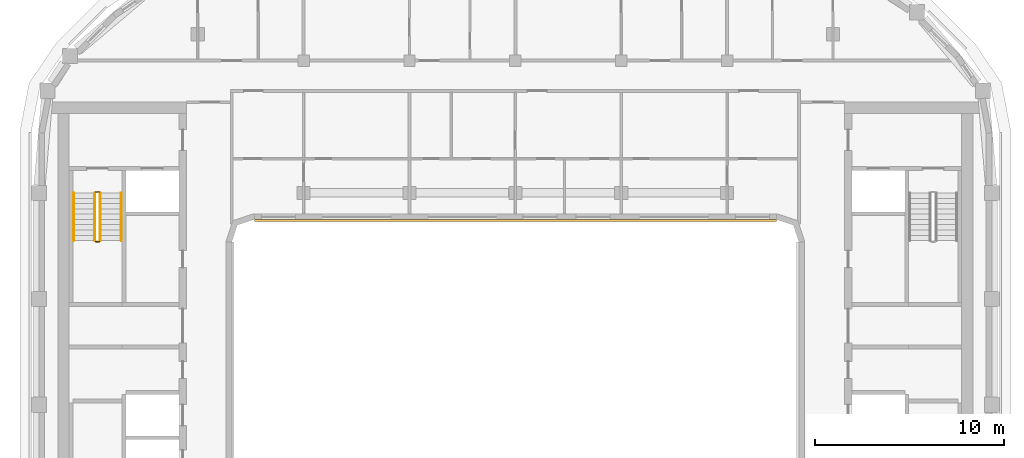
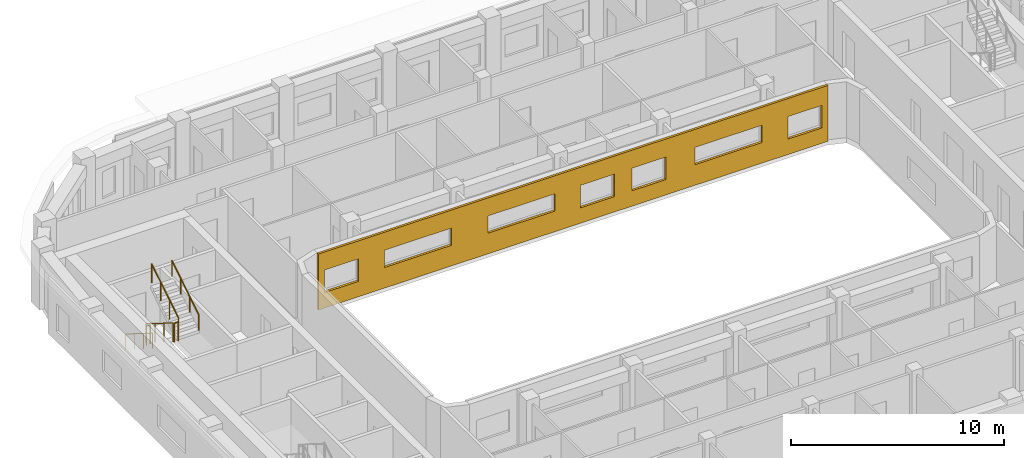
# One storey, part 12 of 16: 6 railings, 1 covering.
"""IFC4 building model written with IfcOpenShell, lengths in metres."""

from ifc_helpers import new_model, si_unit, direction, frame, origin, origin_2d, place, context, subcontext, project, spatial, polyline, circle, outline, extrude, material, layer, layer_set, type_object, element, save


model = new_model("IFC4")

# Units and contexts
model_context = context("Model", 3, precision=1e-05, world=origin(), true_north=direction((0.0, 1.0)))
body_context = subcontext(model_context, "Body", "Model", "MODEL_VIEW")
ifc_project = project(units=[si_unit("LENGTHUNIT", "METRE"), si_unit("AREAUNIT", "SQUARE_METRE"), si_unit("VOLUMEUNIT", "CUBIC_METRE"), si_unit("PLANEANGLEUNIT", "RADIAN"), si_unit("MASSUNIT", "GRAM", prefix="KILO")], contexts=[model_context])

# Site, building, storey
site_placement = place(None, origin())
site = spatial("IfcSite", under=ifc_project, at=site_placement, CompositionType="ELEMENT")
building_placement = place(site_placement, origin())
building = spatial("IfcBuilding", under=site, at=building_placement, Name="Kiln Ring Residences", CompositionType="ELEMENT")
storey_placement = place(building_placement, frame((0.0, 0.0, 259.199951171875)))
storey = spatial("IfcBuildingStorey", under=building, at=storey_placement, Name="L67", CompositionType="ELEMENT", Elevation=259.199951171875)

# Railings
ifc_material_1 = material(Name="Stainless steel", Category="steel")
railing_type_1 = type_object("IfcRailingType", Name="CORE-STAIR-GUARD", PredefinedType="GUARDRAIL", material=ifc_material_1)
railing_1_placement = place(storey_placement, frame((-22.25, 8.39990234375, 0.175048828125)))
element("IfcRailing", 1, at=railing_1_placement, inside=storey, type_object=railing_type_1, Name="L67 W-STN stair guard 1", PredefinedType="GUARDRAIL", context=body_context, shape_type="SweptSolid", body=[
    extrude(circle(Radius=0.02392578125, at=origin_2d()), frame((0.0, 0.0, 1.076171875), z_axis=(0.0, -0.848007534815, 0.529984170421), x_axis=(1.0, 0.0, 0.0)), (0.0, 0.0, 1.0), 2.9716796875),
    extrude(circle(Radius=0.02099609375, at=origin_2d()), origin(), (0.0, 0.0, 1.0), 1.052001953125),
    extrude(circle(Radius=0.02099609375, at=origin_2d()), frame((0.0, -0.840087890625, 0.52490234375)), (0.0, 0.0, 1.0), 1.052001953125),
    extrude(circle(Radius=0.02099609375, at=origin_2d()), frame((0.0, -1.679931640625, 1.050048828125)), (0.0, 0.0, 1.0), 1.052001953125),
    extrude(circle(Radius=0.02099609375, at=origin_2d()), frame((0.0, -2.52001953125, 1.574951171875)), (0.0, 0.0, 1.0), 1.052001953125),
])
railing_2_placement = place(storey_placement, frame((-22.199951171875, 5.830078125, 1.75)))
element("IfcRailing", 2, at=railing_2_placement, inside=storey, type_object=railing_type_1, Name="L67 W-STN stair guard 2", PredefinedType="GUARDRAIL", context=body_context, shape_type="SweptSolid", body=[
    extrude(circle(Radius=0.02392578125, at=origin_2d()), frame((0.0, 0.0, 1.076171875), z_axis=(1.0, 0.0, 0.0), x_axis=(0.0, 1.0, 0.0)), (0.0, 0.0, 1.0), 0.199951171875),
    extrude(circle(Radius=0.02099609375, at=origin_2d()), origin(), (0.0, 0.0, 1.0), 1.052001953125),
    extrude(circle(Radius=0.02099609375, at=origin_2d()), frame((0.199951171875, 0.0, 0.0)), (0.0, 0.0, 1.0), 1.052001953125),
])
railing_3_placement = place(storey_placement, frame((-21.949951171875, 5.8798828125, 1.925048828125)))
element("IfcRailing", 3, at=railing_3_placement, inside=storey, type_object=railing_type_1, Name="L67 W-STN stair guard 3", PredefinedType="GUARDRAIL", context=body_context, shape_type="SweptSolid", body=[
    extrude(circle(Radius=0.02392578125, at=origin_2d()), frame((0.0, 0.0, 1.076171875), z_axis=(0.0, 0.848007534815, 0.529984170421), x_axis=(-1.0, 0.0, 0.0)), (0.0, 0.0, 1.0), 2.9716796875),
    extrude(circle(Radius=0.02099609375, at=origin_2d()), origin(), (0.0, 0.0, 1.0), 1.052001953125),
    extrude(circle(Radius=0.02099609375, at=origin_2d()), frame((0.0, 0.840087890625, 0.52490234375)), (0.0, 0.0, 1.0), 1.052001953125),
    extrude(circle(Radius=0.02099609375, at=origin_2d()), frame((0.0, 1.679931640625, 1.050048828125)), (0.0, 0.0, 1.0), 1.052001953125),
    extrude(circle(Radius=0.02099609375, at=origin_2d()), frame((0.0, 2.52001953125, 1.574951171875)), (0.0, 0.0, 1.0), 1.052001953125),
])
railing_4_placement = place(storey_placement, frame((-22.199951171875, 8.449951171875, 0.0)))
element("IfcRailing", 4, at=railing_4_placement, inside=storey, type_object=railing_type_1, Name="L67 W-STN stair guard 4", PredefinedType="GUARDRAIL", context=body_context, shape_type="SweptSolid", body=[
    extrude(circle(Radius=0.02392578125, at=origin_2d()), frame((0.0, 0.0, 1.076171875), z_axis=(1.0, 0.0, 0.0), x_axis=(0.0, 1.0, 0.0)), (0.0, 0.0, 1.0), 0.199951171875),
    extrude(circle(Radius=0.02099609375, at=origin_2d()), origin(), (0.0, 0.0, 1.0), 1.052001953125),
    extrude(circle(Radius=0.02099609375, at=origin_2d()), frame((0.199951171875, 0.0, 0.0)), (0.0, 0.0, 1.0), 1.052001953125),
])
ifc_material_2 = material(Name="Stainless steel", Category="steel")
railing_type_2 = type_object("IfcRailingType", Name="CORE-STAIR-HANDRAIL", PredefinedType="HANDRAIL", material=ifc_material_2)
railing_5_placement = place(storey_placement, frame((-23.35009765625, 8.39990234375, 0.175048828125)))
element("IfcRailing", 5, at=railing_5_placement, inside=storey, type_object=railing_type_2, Name="L67 W-STN stair handrail 1", PredefinedType="HANDRAIL", context=body_context, shape_type="SweptSolid", body=[
    extrude(circle(Radius=0.02392578125, at=origin_2d()), frame((0.0, 0.0, 0.8759765625), z_axis=(0.0, -0.848007534815, 0.529984170421), x_axis=(1.0, 0.0, 0.0)), (0.0, 0.0, 1.0), 2.9716796875),
    extrude(circle(Radius=0.02099609375, at=origin_2d()), origin(), (0.0, 0.0, 1.0), 0.851806640625),
    extrude(circle(Radius=0.02099609375, at=origin_2d()), frame((0.0, -0.840087890625, 0.52490234375)), (0.0, 0.0, 1.0), 0.851806640625),
    extrude(circle(Radius=0.02099609375, at=origin_2d()), frame((0.0, -1.679931640625, 1.050048828125)), (0.0, 0.0, 1.0), 0.851806640625),
    extrude(circle(Radius=0.02099609375, at=origin_2d()), frame((0.0, -2.52001953125, 1.574951171875)), (0.0, 0.0, 1.0), 0.851806640625),
])
railing_6_placement = place(storey_placement, frame((-20.85009765625, 5.8798828125, 1.925048828125)))
element("IfcRailing", 6, at=railing_6_placement, inside=storey, type_object=railing_type_2, Name="L67 W-STN stair handrail 2", PredefinedType="HANDRAIL", context=body_context, shape_type="SweptSolid", body=[
    extrude(circle(Radius=0.02392578125, at=origin_2d()), frame((0.0, 0.0, 0.8759765625), z_axis=(0.0, 0.848007534815, 0.529984170421), x_axis=(-1.0, 0.0, 0.0)), (0.0, 0.0, 1.0), 2.9716796875),
    extrude(circle(Radius=0.02099609375, at=origin_2d()), origin(), (0.0, 0.0, 1.0), 0.851806640625),
    extrude(circle(Radius=0.02099609375, at=origin_2d()), frame((0.0, 0.840087890625, 0.52490234375)), (0.0, 0.0, 1.0), 0.851806640625),
    extrude(circle(Radius=0.02099609375, at=origin_2d()), frame((0.0, 1.679931640625, 1.050048828125)), (0.0, 0.0, 1.0), 0.851806640625),
    extrude(circle(Radius=0.02099609375, at=origin_2d()), frame((0.0, 2.52001953125, 1.574951171875)), (0.0, 0.0, 1.0), 0.851806640625),
])

# Covering
ifc_material_3 = material(Name="Brick masonry, dark clay brick", Category="masonry")
ifc_layer = layer(ifc_material_3, 0.1201171875)
ifc_layer_set = layer_set([ifc_layer], Name="RAINSCREEN PANEL 120")
covering_type = type_object("IfcCoveringType", Name="RAINSCREEN PANEL 120", PredefinedType="CLADDING", material=ifc_layer_set)
covering_placement = place(storey_placement, frame((-13.800048828125, 6.93994140625, 0.0), z_axis=(0.0, 0.0, 1.0), x_axis=(1.0, 0.0, 0.0)))
element("IfcCovering", 7, at=covering_placement, inside=storey, type_object=covering_type, Name="RAINSCREEN L67", PredefinedType="CLADDING", context=body_context, shape_type="SweptSolid", body=[
    extrude(outline(polyline([(0.0, 0.0), (27.60009765625, 0.0), (27.60009765625, 3.199951171875), (0.0, 3.199951171875), (0.0, 0.0)]), holes=[polyline([(2.1826171875, 0.880126953125), (2.1826171875, 2.170166015625), (0.342529296875, 2.170166015625), (0.342529296875, 0.880126953125), (2.1826171875, 0.880126953125)]), polyline([(14.179931640625, 0.880126953125), (16.02001953125, 0.880126953125), (16.02001953125, 2.170166015625), (14.179931640625, 2.170166015625), (14.179931640625, 0.880126953125)]), polyline([(16.97998046875, 0.880126953125), (18.820068359375, 0.880126953125), (18.820068359375, 2.170166015625), (16.97998046875, 2.170166015625), (16.97998046875, 0.880126953125)]), polyline([(25.41748046875, 0.880126953125), (27.257568359375, 0.880126953125), (27.257568359375, 2.170166015625), (25.41748046875, 2.170166015625), (25.41748046875, 0.880126953125)]), polyline([(3.580078125, 1.179931640625), (7.219970703125, 1.179931640625), (7.219970703125, 2.170166015625), (3.580078125, 2.170166015625), (3.580078125, 1.179931640625)]), polyline([(9.179931640625, 1.179931640625), (12.820068359375, 1.179931640625), (12.820068359375, 2.170166015625), (9.179931640625, 2.170166015625), (9.179931640625, 1.179931640625)]), polyline([(20.3798828125, 1.179931640625), (24.02001953125, 1.179931640625), (24.02001953125, 2.170166015625), (20.3798828125, 2.170166015625), (20.3798828125, 1.179931640625)])]), frame((0.0, 0.06005859375, 0.0), z_axis=(0.0, -1.0, 0.0), x_axis=(1.0, 0.0, 0.0)), (0.0, 0.0, 1.0), 0.1201171875),
])

save(model, "model.ifc")
